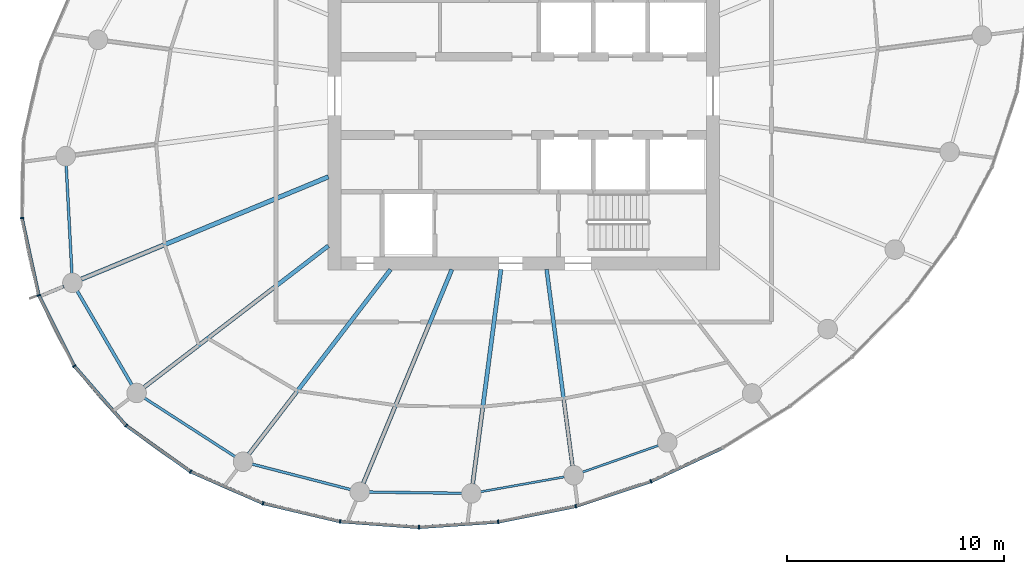
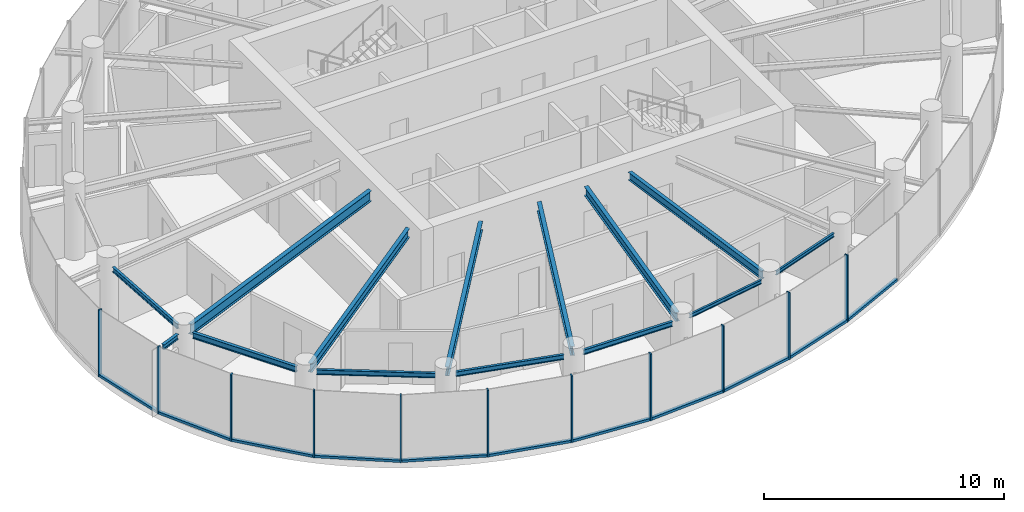
# One storey, part 2 of 14: 22 members, 14 beams, 3 elements without a shape of their own.
"""IFC4 building model written with IfcOpenShell, lengths in metres."""

from ifc_helpers import new_model, si_unit, direction, frame, origin, origin_2d, place, context, subcontext, project, spatial, rectangle, i_section, extrude, source, transform, mapped, material, layer, layer_set, material_profile, profile_set, type_object, element, aggregate, save


model = new_model("IFC4")

# Units and contexts
model_context = context("Model", 3, precision=1e-05, world=origin(), true_north=direction((0.0, 1.0)))
body_context = subcontext(model_context, "Body", "Model", "MODEL_VIEW")
ifc_project = project(units=[si_unit("LENGTHUNIT", "METRE"), si_unit("AREAUNIT", "SQUARE_METRE"), si_unit("VOLUMEUNIT", "CUBIC_METRE"), si_unit("PLANEANGLEUNIT", "RADIAN"), si_unit("MASSUNIT", "GRAM", prefix="KILO")], contexts=[model_context])

# Site, building, storey
site_placement = place(None, origin())
site = spatial("IfcSite", under=ifc_project, at=site_placement, CompositionType="ELEMENT")
building_placement = place(site_placement, origin())
building = spatial("IfcBuilding", under=site, at=building_placement, Name="Spindrift Exchange Tower", CompositionType="ELEMENT")
storey_placement = place(building_placement, frame((0.0, 0.0, 226.699951171875)))
storey = spatial("IfcBuildingStorey", under=building, at=storey_placement, Name="L55", CompositionType="ELEMENT", Elevation=226.699951171875)

# Beams
ifc_material_1 = material(Name="Steel Grade 300", Category="steel")
ifc_material_profile_1 = material_profile(ifc_material_1, i_section(OverallWidth=0.208984375, OverallDepth=0.528076171875, WebThickness=0.009521484375, FlangeThickness=0.01318359375, FilletRadius=0.013916015625, at=origin_2d()), Name="530UB82.0")
ifc_profile_set_1 = profile_set([ifc_material_profile_1], Name="Steel Grade 300")
beam_type_1 = type_object("IfcBeamType", Name="Floor Beam 530UB82.0 Steel Grade 300", PredefinedType="BEAM", material=ifc_profile_set_1)
shared_shape_1 = source(origin(), body_context, "Body", "SweptSolid", [
    extrude(i_section(OverallWidth=0.208984375, OverallDepth=0.528076171875, WebThickness=0.009521484375, FlangeThickness=0.01318359375, FilletRadius=0.013916015625, at=origin_2d()), origin(), (0.0, 0.0, 1.0), 12.3115234375),
])
beam_1_placement = place(storey_placement, frame((43.0185546875, 44.27978515625, 3.135986328125), z_axis=(-0.923878099838, -0.382686891126, 0.0), x_axis=(0.382686891126, -0.923878099838, 0.0)))
element("IfcBeam", 1, at=beam_1_placement, inside=storey, type_object=beam_type_1, Name="L55 radial beam R14A", PredefinedType="BEAM", context=body_context, shape_type="MappedRepresentation", body=[
    mapped(shared_shape_1, transform((0.0, 0.0, 0.0), scale=1.0)),
])
ifc_material_profile_2 = material_profile(ifc_material_1, i_section(OverallWidth=0.18994140625, OverallDepth=0.4541015625, WebThickness=0.008544921875, FlangeThickness=0.0126953125, FilletRadius=0.013916015625, at=origin_2d()), Name="460UB67.1")
ifc_profile_set_2 = profile_set([ifc_material_profile_2], Name="Steel Grade 300")
beam_type_2 = type_object("IfcBeamType", Name="Floor Beam 460UB67.1 Steel Grade 300", PredefinedType="BEAM", material=ifc_profile_set_2)
shared_shape_2 = source(origin(), body_context, "Body", "SweptSolid", [
    extrude(i_section(OverallWidth=0.18994140625, OverallDepth=0.4541015625, WebThickness=0.008544921875, FlangeThickness=0.0126953125, FilletRadius=0.013916015625, at=origin_2d()), origin(), (0.0, 0.0, 1.0), 10.684814453125),
])
beam_2_placement = place(storey_placement, frame((43.015869140625, 41.106201171875, 3.173095703125), z_axis=(-0.793357316898, -0.608756246559, 0.0), x_axis=(0.608756246559, -0.793357316898, 0.0)))
element("IfcBeam", 2, at=beam_2_placement, inside=storey, type_object=beam_type_2, Name="L55 radial beam R15A", PredefinedType="BEAM", context=body_context, shape_type="MappedRepresentation", body=[
    mapped(shared_shape_2, transform((0.0, 0.0, 0.0), scale=1.0)),
])
shared_shape_3 = source(origin(), body_context, "Body", "SweptSolid", [
    extrude(i_section(OverallWidth=0.18994140625, OverallDepth=0.4541015625, WebThickness=0.008544921875, FlangeThickness=0.0126953125, FilletRadius=0.013916015625, at=origin_2d()), origin(), (0.0, 0.0, 1.0), 10.711181640625),
])
beam_3_placement = place(storey_placement, frame((45.87353515625, 40.015869140625, 3.173095703125), z_axis=(-0.608756401092, -0.793357198322, 0.0), x_axis=(0.793357198322, -0.608756401092, 0.0)))
element("IfcBeam", 3, at=beam_3_placement, inside=storey, type_object=beam_type_2, Name="L55 radial beam R16A", PredefinedType="BEAM", context=body_context, shape_type="MappedRepresentation", body=[
    mapped(shared_shape_3, transform((0.0, 0.0, 0.0), scale=1.0)),
])
shared_shape_4 = source(origin(), body_context, "Body", "SweptSolid", [
    extrude(i_section(OverallWidth=0.18994140625, OverallDepth=0.4541015625, WebThickness=0.008544921875, FlangeThickness=0.0126953125, FilletRadius=0.013916015625, at=origin_2d()), origin(), (0.0, 0.0, 1.0), 10.64111328125),
])
beam_4_placement = place(storey_placement, frame((48.69384765625, 40.0185546875, 3.173095703125), z_axis=(-0.382672627597, -0.923884007919, 0.0), x_axis=(0.923884007919, -0.382672627597, 0.0)))
element("IfcBeam", 4, at=beam_4_placement, inside=storey, type_object=beam_type_2, Name="L55 radial beam R17A", PredefinedType="BEAM", context=body_context, shape_type="MappedRepresentation", body=[
    mapped(shared_shape_4, transform((0.0, 0.0, 0.0), scale=1.0)),
])
shared_shape_5 = source(origin(), body_context, "Body", "SweptSolid", [
    extrude(i_section(OverallWidth=0.18994140625, OverallDepth=0.4541015625, WebThickness=0.008544921875, FlangeThickness=0.0126953125, FilletRadius=0.013916015625, at=origin_2d()), origin(), (0.0, 0.0, 1.0), 9.95703125),
])
beam_5_placement = place(storey_placement, frame((50.949462890625, 40.019775390625, 3.173095703125), z_axis=(-0.130541406635, -0.991442858239, 0.0), x_axis=(0.991442858239, -0.130541406635, 0.0)))
element("IfcBeam", 5, at=beam_5_placement, inside=storey, type_object=beam_type_2, Name="L55 radial beam R18A", PredefinedType="BEAM", context=body_context, shape_type="MappedRepresentation", body=[
    mapped(shared_shape_5, transform((0.0, 0.0, 0.0), scale=1.0)),
])
ifc_material_profile_3 = material_profile(ifc_material_1, i_section(OverallWidth=0.177978515625, OverallDepth=0.403076171875, WebThickness=0.007568359375, FlangeThickness=0.010986328125, FilletRadius=0.013916015625, at=origin_2d()), Name="410UB53.7")
ifc_profile_set_3 = profile_set([ifc_material_profile_3], Name="Steel Grade 300")
beam_type_3 = type_object("IfcBeamType", Name="Floor Beam 410UB53.7 Steel Grade 300", PredefinedType="BEAM", material=ifc_profile_set_3)
shared_shape_6 = source(origin(), body_context, "Body", "SweptSolid", [
    extrude(i_section(OverallWidth=0.177978515625, OverallDepth=0.403076171875, WebThickness=0.007568359375, FlangeThickness=0.010986328125, FilletRadius=0.013916015625, at=origin_2d()), origin(), (0.0, 0.0, 1.0), 9.11376953125),
])
beam_6_placement = place(storey_placement, frame((53.050537109375, 40.019775390625, 3.198486328125), z_axis=(0.130536972606, -0.991443442049, 0.0), x_axis=(0.991443442049, 0.130536972606, 0.0)))
element("IfcBeam", 6, at=beam_6_placement, inside=storey, type_object=beam_type_3, Name="L55 radial beam R19A", PredefinedType="BEAM", context=body_context, shape_type="MappedRepresentation", body=[
    mapped(shared_shape_6, transform((0.0, 0.0, 0.0), scale=1.0)),
])
ifc_material_profile_4 = material_profile(ifc_material_1, i_section(OverallWidth=0.1240234375, OverallDepth=0.248046875, WebThickness=0.0048828125, FlangeThickness=0.008056640625, FilletRadius=0.011962890625, at=origin_2d()), Name="250UB25.7")
ifc_profile_set_4 = profile_set([ifc_material_profile_4], Name="Steel Grade 300")
beam_type_4 = type_object("IfcBeamType", Name="Edge Beam 250UB25.7 Steel Grade 300", PredefinedType="SPANDREL", material=ifc_profile_set_4)
shared_shape_7 = source(origin(), body_context, "Body", "SweptSolid", [
    extrude(i_section(OverallWidth=0.1240234375, OverallDepth=0.248046875, WebThickness=0.0048828125, FlangeThickness=0.008056640625, FilletRadius=0.011962890625, at=origin_2d()), origin(), (0.0, 0.0, 1.0), 4.971435546875),
])
beam_7_placement = place(storey_placement, frame((30.96044921875, 44.797607421875, 3.276123046875), z_axis=(0.053038255124, -0.998592481192, 0.0), x_axis=(0.998592481192, 0.053038255124, 0.0)))
element("IfcBeam", 7, at=beam_7_placement, inside=storey, type_object=beam_type_4, Name="L55 edge beam E13", PredefinedType="SPANDREL", context=body_context, shape_type="MappedRepresentation", body=[
    mapped(shared_shape_7, transform((0.0, 0.0, 0.0), scale=1.0)),
])
ifc_material_profile_5 = material_profile(ifc_material_1, i_section(OverallWidth=0.14892578125, OverallDepth=0.298095703125, WebThickness=0.005615234375, FlangeThickness=0.008056640625, FilletRadius=0.012939453125, at=origin_2d()), Name="310UB32.0")
ifc_profile_set_5 = profile_set([ifc_material_profile_5], Name="Steel Grade 300")
beam_type_5 = type_object("IfcBeamType", Name="Edge Beam 310UB32.0 Steel Grade 300", PredefinedType="SPANDREL", material=ifc_profile_set_5)
shared_shape_8 = source(origin(), body_context, "Body", "SweptSolid", [
    extrude(i_section(OverallWidth=0.14892578125, OverallDepth=0.298095703125, WebThickness=0.005615234375, FlangeThickness=0.008056640625, FilletRadius=0.012939453125, at=origin_2d()), origin(), (0.0, 0.0, 1.0), 5.0009765625),
])
beam_8_placement = place(storey_placement, frame((31.46337890625, 39.0322265625, 3.2509765625), z_axis=(0.503512812094, -0.863987759205, 0.0), x_axis=(0.863987759205, 0.503512812094, 0.0)))
element("IfcBeam", 8, at=beam_8_placement, inside=storey, type_object=beam_type_5, Name="L55 edge beam E14", PredefinedType="SPANDREL", context=body_context, shape_type="MappedRepresentation", body=[
    mapped(shared_shape_8, transform((0.0, 0.0, 0.0), scale=1.0)),
])
shared_shape_9 = source(origin(), body_context, "Body", "SweptSolid", [
    extrude(i_section(OverallWidth=0.1240234375, OverallDepth=0.248046875, WebThickness=0.0048828125, FlangeThickness=0.008056640625, FilletRadius=0.011962890625, at=origin_2d()), origin(), (0.0, 0.0, 1.0), 4.966552734375),
])
beam_9_placement = place(storey_placement, frame((34.55908203125, 34.106689453125, 3.276123046875), z_axis=(0.839802198579, -0.54289250065, 0.0), x_axis=(0.54289250065, 0.839802198579, 0.0)))
element("IfcBeam", 9, at=beam_9_placement, inside=storey, type_object=beam_type_4, Name="L55 edge beam E15", PredefinedType="SPANDREL", context=body_context, shape_type="MappedRepresentation", body=[
    mapped(shared_shape_9, transform((0.0, 0.0, 0.0), scale=1.0)),
])
shared_shape_10 = source(origin(), body_context, "Body", "SweptSolid", [
    extrude(i_section(OverallWidth=0.1240234375, OverallDepth=0.248046875, WebThickness=0.0048828125, FlangeThickness=0.008056640625, FilletRadius=0.011962890625, at=origin_2d()), origin(), (0.0, 0.0, 1.0), 4.682373046875),
])
beam_10_placement = place(storey_placement, frame((39.507568359375, 31.0693359375, 3.276123046875), z_axis=(0.968201586176, -0.250171318352, 0.0), x_axis=(0.250171318352, 0.968201586176, 0.0)))
element("IfcBeam", 10, at=beam_10_placement, inside=storey, type_object=beam_type_4, Name="L55 edge beam E16", PredefinedType="SPANDREL", context=body_context, shape_type="MappedRepresentation", body=[
    mapped(shared_shape_10, transform((0.0, 0.0, 0.0), scale=1.0)),
])
shared_shape_11 = source(origin(), body_context, "Body", "SweptSolid", [
    extrude(i_section(OverallWidth=0.1240234375, OverallDepth=0.248046875, WebThickness=0.0048828125, FlangeThickness=0.008056640625, FilletRadius=0.011962890625, at=origin_2d()), origin(), (0.0, 0.0, 1.0), 4.27685546875),
])
beam_11_placement = place(storey_placement, frame((44.88720703125, 29.78466796875, 3.276123046875), z_axis=(0.999910013527, -0.013415097807, 0.0), x_axis=(0.013415097807, 0.999910013527, 0.0)))
element("IfcBeam", 11, at=beam_11_placement, inside=storey, type_object=beam_type_4, Name="L55 edge beam E17", PredefinedType="SPANDREL", context=body_context, shape_type="MappedRepresentation", body=[
    mapped(shared_shape_11, transform((0.0, 0.0, 0.0), scale=1.0)),
])
ifc_material_profile_6 = material_profile(ifc_material_1, i_section(OverallWidth=0.09912109375, OverallDepth=0.197998046875, WebThickness=0.00439453125, FlangeThickness=0.007080078125, FilletRadius=0.010986328125, at=origin_2d()), Name="200UB18.2")
ifc_profile_set_6 = profile_set([ifc_material_profile_6], Name="Steel Grade 300")
beam_type_6 = type_object("IfcBeamType", Name="Edge Beam 200UB18.2 Steel Grade 300", PredefinedType="SPANDREL", material=ifc_profile_set_6)
shared_shape_12 = source(origin(), body_context, "Body", "SweptSolid", [
    extrude(i_section(OverallWidth=0.09912109375, OverallDepth=0.197998046875, WebThickness=0.00439453125, FlangeThickness=0.007080078125, FilletRadius=0.010986328125, at=origin_2d()), origin(), (0.0, 0.0, 1.0), 3.916259765625),
])
beam_12_placement = place(storey_placement, frame((50.01708984375, 29.796875, 3.301025390625), z_axis=(0.984558687682, 0.175054821441, 0.0), x_axis=(-0.175054821441, 0.984558687682, 0.0)))
element("IfcBeam", 12, at=beam_12_placement, inside=storey, type_object=beam_type_6, Name="L55 edge beam E18", PredefinedType="SPANDREL", context=body_context, shape_type="MappedRepresentation", body=[
    mapped(shared_shape_12, transform((0.0, 0.0, 0.0), scale=1.0)),
])
shared_shape_13 = source(origin(), body_context, "Body", "SweptSolid", [
    extrude(i_section(OverallWidth=0.09912109375, OverallDepth=0.197998046875, WebThickness=0.00439453125, FlangeThickness=0.007080078125, FilletRadius=0.010986328125, at=origin_2d()), origin(), (0.0, 0.0, 1.0), 3.700439453125),
])
beam_13_placement = place(storey_placement, frame((54.701904296875, 30.699951171875, 3.301025390625), z_axis=(0.943515334916, 0.331328858957, 0.0), x_axis=(-0.331328858957, 0.943515334916, 0.0)))
element("IfcBeam", 13, at=beam_13_placement, inside=storey, type_object=beam_type_6, Name="L55 edge beam E19", PredefinedType="SPANDREL", context=body_context, shape_type="MappedRepresentation", body=[
    mapped(shared_shape_13, transform((0.0, 0.0, 0.0), scale=1.0)),
])
ifc_material_profile_7 = material_profile(ifc_material_1, i_section(OverallWidth=0.14599609375, OverallDepth=0.251953125, WebThickness=0.006103515625, FlangeThickness=0.008544921875, FilletRadius=0.011962890625, at=origin_2d()), Name="250UB31.4")
ifc_profile_set_7 = profile_set([ifc_material_profile_7], Name="Steel Grade 300")
beam_type_7 = type_object("IfcBeamType", Name="Cantilever Beam 250UB31.4 Steel Grade 300", PredefinedType="BEAM", material=ifc_profile_set_7)
shared_shape_14 = source(origin(), body_context, "Body", "SweptSolid", [
    extrude(i_section(OverallWidth=0.14599609375, OverallDepth=0.251953125, WebThickness=0.006103515625, FlangeThickness=0.008544921875, FilletRadius=0.011962890625, at=origin_2d()), origin(), (0.0, 0.0, 1.0), 1.014892578125),
])
beam_14_placement = place(storey_placement, frame((30.849609375, 39.2392578125, 3.274169921875), z_axis=(-0.923879047191, -0.38268460403, 0.0), x_axis=(0.38268460403, -0.923879047191, 0.0)))
element("IfcBeam", 14, at=beam_14_placement, inside=storey, type_object=beam_type_7, Name="L55 cantilever beam R14T", PredefinedType="BEAM", context=body_context, shape_type="MappedRepresentation", body=[
    mapped(shared_shape_14, transform((0.0, 0.0, 0.0), scale=1.0)),
])

# Curtain wall, members
ifc_material_2 = material(Name="Fritted laminated glass with bronze frame", Category="glass")
ifc_layer = layer(ifc_material_2, 0.169921875)
ifc_layer_set = layer_set([ifc_layer], Name="ZONE 4 BRONZE FRITTED WALL")
curtain_wall_type = type_object("IfcCurtainWallType", Name="ZONE 4 BRONZE FRITTED WALL", PredefinedType="NOTDEFINED", material=ifc_layer_set)
curtain_wall_1_placement = place(storey_placement, origin())
curtain_wall_1 = element("IfcCurtainWall", 15, at=curtain_wall_1_placement, inside=storey, type_object=curtain_wall_type, Name="L55 Zone 4 Bronze Fritted Wall run 5", PredefinedType="NOTDEFINED")
ifc_material_3 = material(Name="Bronze anodised aluminium", Category="aluminium")
ifc_material_profile_8 = material_profile(ifc_material_3, rectangle(XDim=0.14990234375, YDim=0.125, at=origin_2d()), Name="ZONE 4 BRONZE FRITTED WALL TRANSOM 150X125")
ifc_profile_set_8 = profile_set([ifc_material_profile_8], Name="Bronze anodised aluminium")
member_type_1 = type_object("IfcMemberType", Name="ZONE 4 BRONZE FRITTED WALL TRANSOM 150X125", PredefinedType="USERDEFINED", material=ifc_profile_set_8)
shared_shape_15 = source(origin(), body_context, "Body", "SweptSolid", [
    extrude(rectangle(XDim=0.14990234375, YDim=0.125, at=origin_2d()), origin(), (0.0, 0.0, 1.0), 3.57763671875),
])
member_1_placement = place(storey_placement, frame((50.852294921875, 28.420654296875, 0.0625), z_axis=(0.980483443601, 0.196601670449, 0.0), x_axis=(-0.196601670449, 0.980483443601, 0.0)))
member_1 = element("IfcMember", 16, at=member_1_placement, type_object=member_type_1, Name="L55 transom CW-4.26", ObjectType="TRANSOM", PredefinedType="USERDEFINED", context=body_context, shape_type="MappedRepresentation", body=[
    mapped(shared_shape_15, transform((0.0, 0.0, 0.0), scale=1.0)),
])
member_2_placement = place(storey_placement, frame((54.4228515625, 29.140625, 0.0625), z_axis=(0.949451612518, 0.313913420368, 0.0), x_axis=(-0.313913420368, 0.949451612518, 0.0)))
member_2 = element("IfcMember", 17, at=member_2_placement, type_object=member_type_1, Name="L55 transom CW-4.27", ObjectType="TRANSOM", PredefinedType="USERDEFINED", context=body_context, shape_type="MappedRepresentation", body=[
    mapped(shared_shape_15, transform((0.0, 0.0, 0.0), scale=1.0)),
])
shared_shape_16 = source(origin(), body_context, "Body", "SweptSolid", [
    extrude(rectangle(XDim=0.14990234375, YDim=0.125, at=origin_2d()), origin(), (0.0, 0.0, 1.0), 3.577880859375),
])
member_3_placement = place(storey_placement, frame((57.8798828125, 30.28759765625, 0.0625), z_axis=(0.906230201651, 0.422784604279, 0.0), x_axis=(-0.422784604279, 0.906230201651, 0.0)))
member_3 = element("IfcMember", 18, at=member_3_placement, type_object=member_type_1, Name="L55 transom CW-4.28", ObjectType="TRANSOM", PredefinedType="USERDEFINED", context=body_context, shape_type="MappedRepresentation", body=[
    mapped(shared_shape_16, transform((0.0, 0.0, 0.0), scale=1.0)),
])
shared_shape_17 = source(origin(), body_context, "Body", "SweptSolid", [
    extrude(rectangle(XDim=0.14990234375, YDim=0.125, at=origin_2d()), origin(), (0.0, 0.0, 1.0), 3.5771484375),
])
member_4_placement = place(storey_placement, frame((47.21923828125, 28.1669921875, 0.0625), z_axis=(0.997649672885, 0.068521020083, 0.0), x_axis=(-0.068521020083, 0.997649672885, 0.0)))
member_4 = element("IfcMember", 19, at=member_4_placement, type_object=member_type_1, Name="L55 transom CW-4.25", ObjectType="TRANSOM", PredefinedType="USERDEFINED", context=body_context, shape_type="MappedRepresentation", body=[
    mapped(shared_shape_17, transform((0.0, 0.0, 0.0), scale=1.0)),
])

# Curtain wall, member
curtain_wall_2_placement = place(storey_placement, origin())
curtain_wall_2 = element("IfcCurtainWall", 20, at=curtain_wall_2_placement, inside=storey, type_object=curtain_wall_type, Name="L55 Zone 4 Bronze Fritted Wall run 3", PredefinedType="NOTDEFINED")
shared_shape_18 = source(origin(), body_context, "Body", "SweptSolid", [
    extrude(rectangle(XDim=0.14990234375, YDim=0.125, at=origin_2d()), origin(), (0.0, 0.0, 1.0), 3.57080078125),
])
member_5_placement = place(storey_placement, frame((28.93115234375, 42.35009765625, 0.0625), z_axis=(0.212983138581, -0.977055874902, 0.0), x_axis=(0.977055874902, 0.212983138581, 0.0)))
member_5 = element("IfcMember", 21, at=member_5_placement, type_object=member_type_1, Name="L55 transom CW-4.18", ObjectType="TRANSOM", PredefinedType="USERDEFINED", context=body_context, shape_type="MappedRepresentation", body=[
    mapped(shared_shape_18, transform((0.0, 0.0, 0.0), scale=1.0)),
])

# Curtain wall, members
curtain_wall_3_placement = place(storey_placement, origin())
curtain_wall_3 = element("IfcCurtainWall", 22, at=curtain_wall_3_placement, inside=storey, type_object=curtain_wall_type, Name="L55 Zone 4 Bronze Fritted Wall run 4", PredefinedType="NOTDEFINED")
shared_shape_19 = source(origin(), body_context, "Body", "SweptSolid", [
    extrude(rectangle(XDim=0.14990234375, YDim=0.125, at=origin_2d()), origin(), (0.0, 0.0, 1.0), 3.570068359375),
])
member_6_placement = place(storey_placement, frame((29.713134765625, 38.800537109375, 0.0625), z_axis=(0.448936023316, -0.893563902006, 0.0), x_axis=(0.893563902006, 0.448936023316, 0.0)))
member_6 = element("IfcMember", 23, at=member_6_placement, type_object=member_type_1, Name="L55 transom CW-4.19", ObjectType="TRANSOM", PredefinedType="USERDEFINED", context=body_context, shape_type="MappedRepresentation", body=[
    mapped(shared_shape_19, transform((0.0, 0.0, 0.0), scale=1.0)),
])
shared_shape_20 = source(origin(), body_context, "Body", "SweptSolid", [
    extrude(rectangle(XDim=0.14990234375, YDim=0.125, at=origin_2d()), origin(), (0.0, 0.0, 1.0), 3.57568359375),
])
member_7_placement = place(storey_placement, frame((40.043212890625, 29.2578125, 0.0625), z_axis=(0.973327546751, -0.229419891763, 0.0), x_axis=(0.229419891763, 0.973327546751, 0.0)))
member_7 = element("IfcMember", 24, at=member_7_placement, type_object=member_type_1, Name="L55 transom CW-4.23", ObjectType="TRANSOM", PredefinedType="USERDEFINED", context=body_context, shape_type="MappedRepresentation", body=[
    mapped(shared_shape_20, transform((0.0, 0.0, 0.0), scale=1.0)),
])
shared_shape_21 = source(origin(), body_context, "Body", "SweptSolid", [
    extrude(rectangle(XDim=0.14990234375, YDim=0.125, at=origin_2d()), origin(), (0.0, 0.0, 1.0), 3.57421875),
])
member_8_placement = place(storey_placement, frame((36.707763671875, 30.711669921875, 0.0625), z_axis=(0.916064816148, -0.401030239028, 0.0), x_axis=(0.401030239028, 0.916064816148, 0.0)))
member_8 = element("IfcMember", 25, at=member_8_placement, type_object=member_type_1, Name="L55 transom CW-4.22", ObjectType="TRANSOM", PredefinedType="USERDEFINED", context=body_context, shape_type="MappedRepresentation", body=[
    mapped(shared_shape_21, transform((0.0, 0.0, 0.0), scale=1.0)),
])
shared_shape_22 = source(origin(), body_context, "Body", "SweptSolid", [
    extrude(rectangle(XDim=0.14990234375, YDim=0.125, at=origin_2d()), origin(), (0.0, 0.0, 1.0), 3.576416015625),
])
member_9_placement = place(storey_placement, frame((43.58740234375, 28.427734375, 0.0625), z_axis=(0.997343772019, -0.072838179654, 0.0), x_axis=(0.072838179654, 0.997343772019, 0.0)))
member_9 = element("IfcMember", 26, at=member_9_placement, type_object=member_type_1, Name="L55 transom CW-4.24", ObjectType="TRANSOM", PredefinedType="USERDEFINED", context=body_context, shape_type="MappedRepresentation", body=[
    mapped(shared_shape_22, transform((0.0, 0.0, 0.0), scale=1.0)),
])
shared_shape_23 = source(origin(), body_context, "Body", "SweptSolid", [
    extrude(rectangle(XDim=0.14990234375, YDim=0.125, at=origin_2d()), origin(), (0.0, 0.0, 1.0), 3.572265625),
])
member_10_placement = place(storey_placement, frame((33.744873046875, 32.820556640625, 0.0625), z_axis=(0.813622630035, -0.581393340085, 0.0), x_axis=(0.581393340085, 0.813622630035, 0.0)))
member_10 = element("IfcMember", 27, at=member_10_placement, type_object=member_type_1, Name="L55 transom CW-4.21", ObjectType="TRANSOM", PredefinedType="USERDEFINED", context=body_context, shape_type="MappedRepresentation", body=[
    mapped(shared_shape_23, transform((0.0, 0.0, 0.0), scale=1.0)),
])

# Member
ifc_material_profile_9 = material_profile(ifc_material_3, rectangle(XDim=0.06494140625, YDim=0.169921875, at=origin_2d()), Name="ZONE 4 BRONZE FRITTED WALL MULLION 65X170")
ifc_profile_set_9 = profile_set([ifc_material_profile_9], Name="Bronze anodised aluminium")
member_type_2 = type_object("IfcMemberType", Name="ZONE 4 BRONZE FRITTED WALL MULLION 65X170", PredefinedType="MULLION", material=ifc_profile_set_9)
shared_shape_24 = source(origin(), body_context, "Body", "SweptSolid", [
    extrude(rectangle(XDim=0.06494140625, YDim=0.169921875, at=origin_2d()), origin(), (0.0, 0.0, 1.0), 3.400146484375),
])
member_11_placement = place(storey_placement, frame((28.92431640625, 42.3818359375, 0.0), z_axis=(0.0, 0.0, 1.0), x_axis=(0.097556142723, -0.995230023169, 0.0)))
member_11 = element("IfcMember", 28, at=member_11_placement, type_object=member_type_2, Name="L55 mullion CW-4.18", PredefinedType="MULLION", context=body_context, shape_type="MappedRepresentation", body=[
    mapped(shared_shape_24, transform((0.0, 0.0, 0.0), scale=1.0)),
])

aggregate(curtain_wall_2, [member_11, member_5])

member_12_placement = place(storey_placement, frame((29.698486328125, 38.82958984375, 0.0), z_axis=(0.0, 0.0, 1.0), x_axis=(0.33358527277, -0.942719929667, 0.0)))
member_12 = element("IfcMember", 29, at=member_12_placement, type_object=member_type_2, Name="L55 mullion CW-4.19", PredefinedType="MULLION", context=body_context, shape_type="MappedRepresentation", body=[
    mapped(shared_shape_24, transform((0.0, 0.0, 0.0), scale=1.0)),
])

member_13_placement = place(storey_placement, frame((31.33056640625, 35.581298828125, 0.0), z_axis=(0.0, 0.0, 1.0), x_axis=(0.557226455849, -0.830360570416, 0.0)))
member_13 = element("IfcMember", 30, at=member_13_placement, type_object=member_type_2, Name="L55 mullion CW-4.20", PredefinedType="MULLION", context=body_context, shape_type="MappedRepresentation", body=[
    mapped(shared_shape_24, transform((0.0, 0.0, 0.0), scale=1.0)),
])

member_14_placement = place(storey_placement, frame((33.718505859375, 32.839599609375, 0.0), z_axis=(0.0, 0.0, 1.0), x_axis=(0.740252331808, -0.672329149489, 0.0)))
member_14 = element("IfcMember", 31, at=member_14_placement, type_object=member_type_2, Name="L55 mullion CW-4.21", PredefinedType="MULLION", context=body_context, shape_type="MappedRepresentation", body=[
    mapped(shared_shape_24, transform((0.0, 0.0, 0.0), scale=1.0)),
])

member_15_placement = place(storey_placement, frame((36.677978515625, 30.724853515625, 0.0), z_axis=(0.0, 0.0, 1.0), x_axis=(0.86953174784, -0.493877048969, 0.0)))
member_15 = element("IfcMember", 32, at=member_15_placement, type_object=member_type_2, Name="L55 mullion CW-4.22", PredefinedType="MULLION", context=body_context, shape_type="MappedRepresentation", body=[
    mapped(shared_shape_24, transform((0.0, 0.0, 0.0), scale=1.0)),
])

member_16_placement = place(storey_placement, frame((40.01171875, 29.265380859375, 0.0), z_axis=(0.0, 0.0, 1.0), x_axis=(0.948577288679, -0.316545616622, 0.0)))
member_16 = element("IfcMember", 33, at=member_16_placement, type_object=member_type_2, Name="L55 mullion CW-4.23", PredefinedType="MULLION", context=body_context, shape_type="MappedRepresentation", body=[
    mapped(shared_shape_24, transform((0.0, 0.0, 0.0), scale=1.0)),
])

member_17_placement = place(storey_placement, frame((43.554931640625, 28.429931640625, 0.0), z_axis=(0.0, 0.0, 1.0), x_axis=(0.988439941227, -0.151612936738, 0.0)))
member_17 = element("IfcMember", 34, at=member_17_placement, type_object=member_type_2, Name="L55 mullion CW-4.24", PredefinedType="MULLION", context=body_context, shape_type="MappedRepresentation", body=[
    mapped(shared_shape_24, transform((0.0, 0.0, 0.0), scale=1.0)),
])

member_18_placement = place(storey_placement, frame((47.186767578125, 28.164794921875, 0.0), z_axis=(0.0, 0.0, 1.0), x_axis=(0.999997650764, -0.002167594818, 0.0)))
member_18 = element("IfcMember", 35, at=member_18_placement, type_object=member_type_2, Name="L55 mullion CW-4.25", PredefinedType="MULLION", context=body_context, shape_type="MappedRepresentation", body=[
    mapped(shared_shape_24, transform((0.0, 0.0, 0.0), scale=1.0)),
])

member_19_placement = place(storey_placement, frame((50.8203125, 28.414306640625, 0.0), z_axis=(0.0, 0.0, 1.0), x_axis=(0.991139518423, 0.132824903614, 0.0)))
member_19 = element("IfcMember", 36, at=member_19_placement, type_object=member_type_2, Name="L55 mullion CW-4.26", PredefinedType="MULLION", context=body_context, shape_type="MappedRepresentation", body=[
    mapped(shared_shape_24, transform((0.0, 0.0, 0.0), scale=1.0)),
])

member_20_placement = place(storey_placement, frame((54.391845703125, 29.13037109375, 0.0), z_axis=(0.0, 0.0, 1.0), x_axis=(0.966753389535, 0.255710546951, 0.0)))
member_20 = element("IfcMember", 37, at=member_20_placement, type_object=member_type_2, Name="L55 mullion CW-4.27", PredefinedType="MULLION", context=body_context, shape_type="MappedRepresentation", body=[
    mapped(shared_shape_24, transform((0.0, 0.0, 0.0), scale=1.0)),
])

member_21_placement = place(storey_placement, frame((57.8505859375, 30.273681640625, 0.0), z_axis=(0.0, 0.0, 1.0), x_axis=(0.929437329267, 0.368980014317, 0.0)))
member_21 = element("IfcMember", 38, at=member_21_placement, type_object=member_type_2, Name="L55 mullion CW-4.28", PredefinedType="MULLION", context=body_context, shape_type="MappedRepresentation", body=[
    mapped(shared_shape_24, transform((0.0, 0.0, 0.0), scale=1.0)),
])

aggregate(curtain_wall_1, [member_18, member_4, member_19, member_1, member_20, member_2, member_21, member_3])

shared_shape_25 = source(origin(), body_context, "Body", "SweptSolid", [
    extrude(rectangle(XDim=0.14990234375, YDim=0.125, at=origin_2d()), origin(), (0.0, 0.0, 1.0), 3.571044921875),
])
member_22_placement = place(storey_placement, frame((31.351806640625, 35.556884765625, 0.0625), z_axis=(0.656750645829, -0.754107810066, 0.0), x_axis=(0.754107810066, 0.656750645829, 0.0)))
member_22 = element("IfcMember", 39, at=member_22_placement, type_object=member_type_1, Name="L55 transom CW-4.20", ObjectType="TRANSOM", PredefinedType="USERDEFINED", context=body_context, shape_type="MappedRepresentation", body=[
    mapped(shared_shape_25, transform((0.0, 0.0, 0.0), scale=1.0)),
])

aggregate(curtain_wall_3, [member_12, member_6, member_13, member_22, member_14, member_10, member_15, member_8, member_16, member_7, member_17, member_9])

save(model, "model.ifc")
